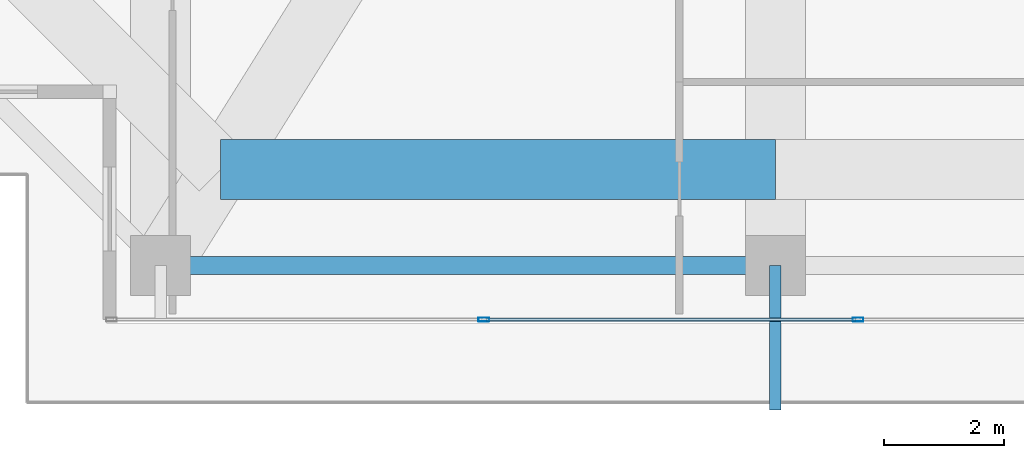
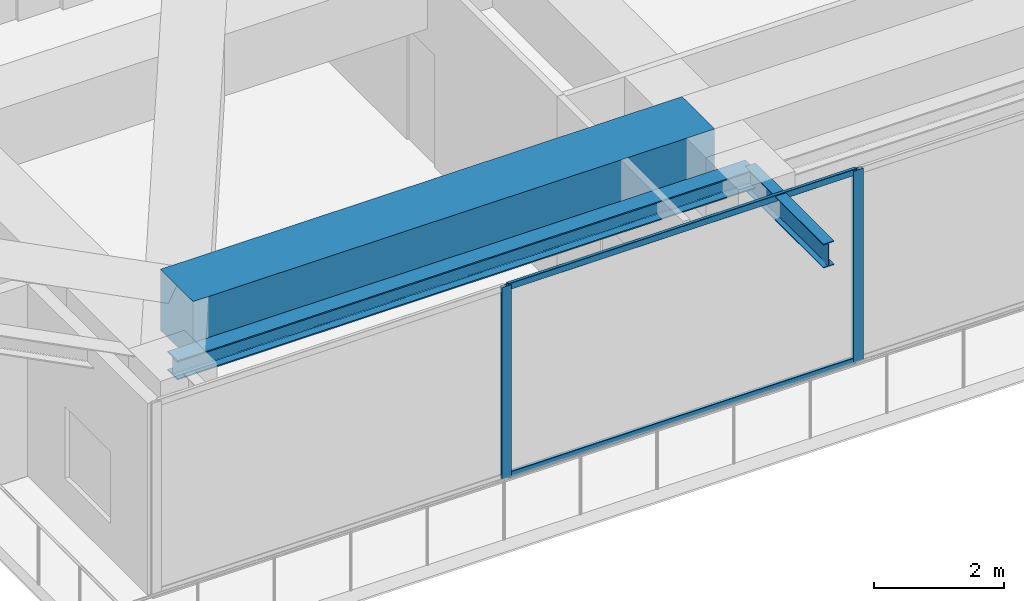
# One storey, part 6 of 40: 4 members, 3 beams, 1 element without a shape of its own.
"""IFC4 building model written with IfcOpenShell, lengths in metres."""

from ifc_helpers import new_model, si_unit, direction, frame, origin, origin_2d, place, context, subcontext, project, spatial, rectangle, hollow_rectangle, i_section, extrude, source, transform, mapped, material, layer, layer_set, material_profile, profile_set, type_object, element, aggregate, save


model = new_model("IFC4")

# Units and contexts
model_context = context("Model", 3, precision=1e-05, world=origin(), true_north=direction((0.0, 1.0)))
body_context = subcontext(model_context, "Body", "Model", "MODEL_VIEW")
ifc_project = project(units=[si_unit("LENGTHUNIT", "METRE"), si_unit("AREAUNIT", "SQUARE_METRE"), si_unit("VOLUMEUNIT", "CUBIC_METRE"), si_unit("PLANEANGLEUNIT", "RADIAN"), si_unit("MASSUNIT", "GRAM", prefix="KILO")], contexts=[model_context])

# Site, building, storey
site_placement = place(None, origin())
site = spatial("IfcSite", under=ifc_project, at=site_placement, CompositionType="ELEMENT")
building_placement = place(site_placement, origin())
building = spatial("IfcBuilding", under=site, at=building_placement, Name="Serunith Strait Residences", CompositionType="ELEMENT")
storey_placement = place(building_placement, frame((0.0, 0.0, 333.949951171875)))
storey = spatial("IfcBuildingStorey", under=building, at=storey_placement, Name="L83", CompositionType="ELEMENT", Elevation=333.949951171875)

# Beams
ifc_material_1 = material(Name="Steel S355J2", Category="steel")
ifc_material_profile_1 = material_profile(ifc_material_1, i_section(OverallWidth=0.300048828125, OverallDepth=0.360107421875, WebThickness=0.012451171875, FlangeThickness=0.0224609375, FilletRadius=0.027099609375, at=origin_2d()), Name="HEB 360")
ifc_profile_set_1 = profile_set([ifc_material_profile_1], Name="Steel S355J2")
beam_type_1 = type_object("IfcBeamType", Name="BM-HEB360", PredefinedType="BEAM", material=ifc_profile_set_1)
shared_shape_1 = source(origin(), body_context, "Body", "SweptSolid", [
    extrude(i_section(OverallWidth=0.300048828125, OverallDepth=0.360107421875, WebThickness=0.012451171875, FlangeThickness=0.0224609375, FilletRadius=0.027099609375, at=origin_2d()), origin(), (0.0, 0.0, 1.0), 10.25),
])
beam_1_placement = place(storey_placement, frame((17.64990234375, 3.300048828125, 3.427001953125), z_axis=(1.0, 0.0, 0.0), x_axis=(0.0, 1.0, 0.0)))
element("IfcBeam", 1, at=beam_1_placement, inside=storey, type_object=beam_type_1, Name="L83 Perimeter Ring Beam 01", PredefinedType="BEAM", context=body_context, shape_type="MappedRepresentation", body=[
    mapped(shared_shape_1, transform((0.0, 0.0, 0.0), scale=1.0)),
])
ifc_material_2 = material(Name="Concrete C80/95", Category="concrete")
ifc_material_profile_2 = material_profile(ifc_material_2, rectangle(XDim=1.0, YDim=1.14990234375, at=origin_2d()), Name="RC 1000x1150")
ifc_profile_set_2 = profile_set([ifc_material_profile_2], Name="Concrete C80/95")
beam_type_2 = type_object("IfcBeamType", Name="BM-XFER-1000x1150", PredefinedType="BEAM", material=ifc_profile_set_2)
shared_shape_2 = source(origin(), body_context, "Body", "SweptSolid", [
    extrude(rectangle(XDim=1.0, YDim=1.14990234375, at=origin_2d()), origin(), (0.0, 0.0, 1.0), 9.25),
])
beam_2_placement = place(storey_placement, frame((18.64990234375, 4.89990234375, 3.03515625), z_axis=(1.0, 0.0, 0.0), x_axis=(0.0, 1.0, 0.0)))
element("IfcBeam", 2, at=beam_2_placement, inside=storey, type_object=beam_type_2, Name="L83 Flare Upper Ring Transfer Girder 01", PredefinedType="BEAM", context=body_context, shape_type="MappedRepresentation", body=[
    mapped(shared_shape_2, transform((0.0, 0.0, 0.0), scale=1.0)),
])
ifc_material_profile_3 = material_profile(ifc_material_1, i_section(OverallWidth=0.18994140625, OverallDepth=0.449951171875, WebThickness=0.009521484375, FlangeThickness=0.0146484375, FilletRadius=0.02099609375, at=origin_2d()), Name="IPE 450")
ifc_profile_set_3 = profile_set([ifc_material_profile_3], Name="Steel S355J2")
beam_type_3 = type_object("IfcBeamType", Name="BM-IPE450", PredefinedType="JOIST", material=ifc_profile_set_3)
shared_shape_3 = source(origin(), body_context, "Body", "SweptSolid", [
    extrude(i_section(OverallWidth=0.18994140625, OverallDepth=0.449951171875, WebThickness=0.009521484375, FlangeThickness=0.0146484375, FilletRadius=0.02099609375, at=origin_2d()), origin(), (0.0, 0.0, 1.0), 2.40869140625),
])
beam_3_placement = place(storey_placement, frame((27.89990234375, 3.300048828125, 3.382080078125), z_axis=(0.0, -1.0, 0.0), x_axis=(1.0, 0.0, 0.0)))
element("IfcBeam", 3, at=beam_3_placement, inside=storey, type_object=beam_type_3, Name="L84 Cantilevered Balcony Rib TC-S2", PredefinedType="JOIST", context=body_context, shape_type="MappedRepresentation", body=[
    mapped(shared_shape_3, transform((0.0, 0.0, 0.0), scale=1.0)),
])

# Curtain wall, members
ifc_material_3 = material(Name="Brushed Stainless-Silver Aluminium", Category="aluminium")
ifc_layer = layer(ifc_material_3, 0.199951171875, Name="Brushed Stainless-Silver Aluminium")
ifc_layer_set = layer_set([ifc_layer], Name="Brushed Stainless-Silver Aluminium")
curtain_wall_type = type_object("IfcCurtainWallType", Name="CW-SYS5", PredefinedType="NOTDEFINED", material=ifc_layer_set)
curtain_wall_placement = place(storey_placement, origin())
curtain_wall = element("IfcCurtainWall", 4, at=curtain_wall_placement, inside=storey, type_object=curtain_wall_type, Name="L83 S Unitised Fritted Curtain Wall", PredefinedType="NOTDEFINED")
ifc_material_profile_4 = material_profile(ifc_material_3, hollow_rectangle(XDim=0.06005859375, YDim=0.1201171875, WallThickness=0.00341796875, InnerFilletRadius=0.00537109375, OuterFilletRadius=0.0087890625, at=origin_2d()), Name="ALU 120x60x3.5")
ifc_profile_set_4 = profile_set([ifc_material_profile_4], Name="Brushed Stainless-Silver Aluminium")
member_type_1 = type_object("IfcMemberType", Name="CW-SYS5-TRAN", PredefinedType="USERDEFINED", material=ifc_profile_set_4)
shared_shape_4 = source(origin(), body_context, "Body", "SweptSolid", [
    extrude(hollow_rectangle(XDim=0.06005859375, YDim=0.1201171875, WallThickness=0.00341796875, InnerFilletRadius=0.00537109375, OuterFilletRadius=0.0087890625, at=origin_2d()), origin(), (0.0, 0.0, 1.0), 6.175048828125),
])
member_1_placement = place(storey_placement, frame((23.072509765625, 2.39990234375, 0.030029296875), z_axis=(1.0, 0.0, 0.0), x_axis=(0.0, 1.0, 0.0)))
member_1 = element("IfcMember", 5, at=member_1_placement, type_object=member_type_1, Name="CW-5 transom 2.1", ObjectType="TRANSOM", PredefinedType="USERDEFINED", context=body_context, shape_type="MappedRepresentation", body=[
    mapped(shared_shape_4, transform((0.0, 0.0, 0.0), scale=1.0)),
])
member_2_placement = place(storey_placement, frame((23.072509765625, 2.39990234375, 3.56494140625), z_axis=(1.0, 0.0, 0.0), x_axis=(0.0, 1.0, 0.0)))
member_2 = element("IfcMember", 6, at=member_2_placement, type_object=member_type_1, Name="CW-5 transom 2.2", ObjectType="TRANSOM", PredefinedType="USERDEFINED", context=body_context, shape_type="MappedRepresentation", body=[
    mapped(shared_shape_4, transform((0.0, 0.0, 0.0), scale=1.0)),
])
ifc_material_profile_5 = material_profile(ifc_material_3, hollow_rectangle(XDim=0.06494140625, YDim=0.179931640625, WallThickness=0.00341796875, InnerFilletRadius=0.00537109375, OuterFilletRadius=0.0087890625, at=origin_2d()), Name="ALU 180x65x3.5")
ifc_profile_set_5 = profile_set([ifc_material_profile_5], Name="Brushed Stainless-Silver Aluminium")
member_type_2 = type_object("IfcMemberType", Name="CW-SYS5-MULL", PredefinedType="MULLION", material=ifc_profile_set_5)
shared_shape_5 = source(origin(), body_context, "Body", "SweptSolid", [
    extrude(hollow_rectangle(XDim=0.06494140625, YDim=0.179931640625, WallThickness=0.00341796875, InnerFilletRadius=0.00537109375, OuterFilletRadius=0.0087890625, at=origin_2d()), origin(), (0.0, 0.0, 1.0), 3.594970703125),
])
member_3_placement = place(storey_placement, frame((23.0400390625, 2.39990234375, 0.0), z_axis=(0.0, 0.0, 1.0), x_axis=(0.0, 1.0, 0.0)))
member_3 = element("IfcMember", 7, at=member_3_placement, type_object=member_type_2, Name="CW-5 mullion 2", PredefinedType="MULLION", context=body_context, shape_type="MappedRepresentation", body=[
    mapped(shared_shape_5, transform((0.0, 0.0, 0.0), scale=1.0)),
])
member_4_placement = place(storey_placement, frame((29.280029296875, 2.39990234375, 0.0), z_axis=(0.0, 0.0, 1.0), x_axis=(0.0, 1.0, 0.0)))
member_4 = element("IfcMember", 8, at=member_4_placement, type_object=member_type_2, Name="CW-5 mullion 3", PredefinedType="MULLION", context=body_context, shape_type="MappedRepresentation", body=[
    mapped(shared_shape_5, transform((0.0, 0.0, 0.0), scale=1.0)),
])
aggregate(curtain_wall, [member_3, member_4, member_1, member_2])

save(model, "model.ifc")
